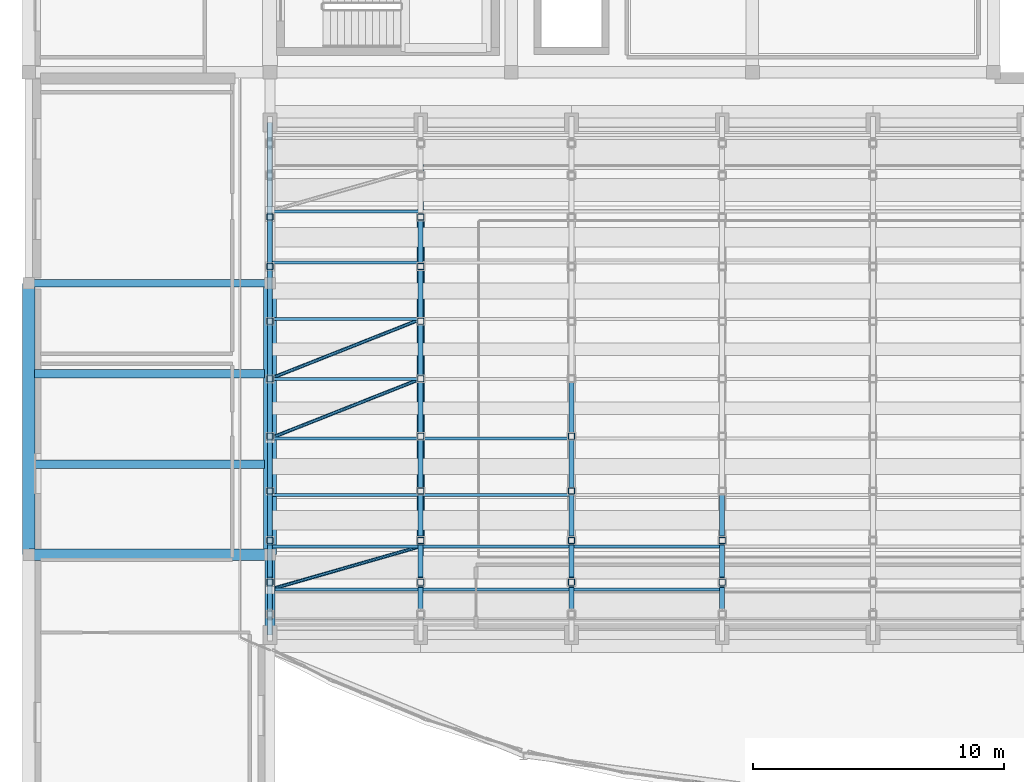
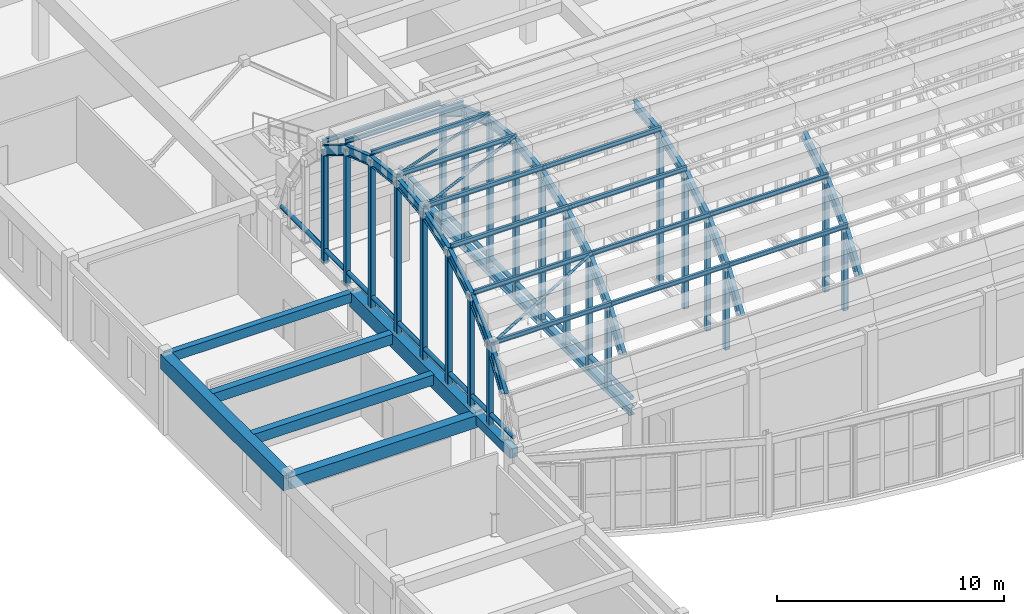
# One storey, part 8 of 91: 41 members, 32 beams.
"""IFC4 building model written with IfcOpenShell, lengths in metres."""

from ifc_helpers import new_model, si_unit, direction, frame, origin, origin_2d, place, context, subcontext, project, spatial, rectangle, hollow_rectangle, hollow_circle, i_section, extrude, material, material_profile, profile_set, type_object, element, save


model = new_model("IFC4")

# Units and contexts
model_context = context("Model", 3, precision=1e-05, world=origin(), true_north=direction((0.0, 1.0)))
body_context = subcontext(model_context, "Body", "Model", "MODEL_VIEW")
ifc_project = project(units=[si_unit("LENGTHUNIT", "METRE"), si_unit("AREAUNIT", "SQUARE_METRE"), si_unit("VOLUMEUNIT", "CUBIC_METRE"), si_unit("PLANEANGLEUNIT", "RADIAN"), si_unit("MASSUNIT", "GRAM", prefix="KILO")], contexts=[model_context])

# Site, building, storey
site_placement = place(None, origin())
site = spatial("IfcSite", under=ifc_project, at=site_placement, CompositionType="ELEMENT")
building_placement = place(site_placement, origin())
building = spatial("IfcBuilding", under=site, at=building_placement, Name="Tarnavel Promenade Courthouse", CompositionType="ELEMENT")
storey_placement = place(building_placement, frame((0.0, 0.0, 9.89990234375)))
storey = spatial("IfcBuildingStorey", under=building, at=storey_placement, Name="L03", CompositionType="ELEMENT", Elevation=9.89990234375)

# Beams
ifc_material_1 = material(Name="Concrete C40/50", Category="concrete")
ifc_material_profile_1 = material_profile(ifc_material_1, rectangle(XDim=0.35009765625, YDim=0.550048828125, at=origin_2d()), Name="PT 350x550")
ifc_profile_set_1 = profile_set([ifc_material_profile_1], Name="Concrete C40/50")
beam_type_1 = type_object("IfcBeamType", Name="Concrete C40/50 BM-PT-350x550 (PT 350x550)", PredefinedType="JOIST", material=ifc_profile_set_1)
for number, where, z_axis, x_axis, name in (
    (1, (0.219970703125, 21.60009765625, 3.97021484375), (1.0, 0.0, 0.0), (0.0, 1.0, 0.0), "L03 Secondary Floor Rib 1822"),
    (2, (0.219970703125, 25.199951171875, 3.97021484375), (1.0, 0.0, 0.0), (0.0, 1.0, 0.0), "L03 Secondary Floor Rib 1823"),
):
    element("IfcBeam", number, at=place(storey_placement, frame(where, z_axis=z_axis, x_axis=x_axis)), inside=storey, type_object=beam_type_1, Name=name, PredefinedType="JOIST", context=body_context, shape_type="SweptSolid", body=[
        extrude(rectangle(XDim=0.35009765625, YDim=0.550048828125, at=origin_2d()), origin(), (0.0, 0.0, 1.0), 9.159912109375),
    ])
ifc_material_profile_2 = material_profile(ifc_material_1, rectangle(XDim=0.5, YDim=0.800048828125, at=origin_2d()), Name="PT 500x800")
ifc_profile_set_2 = profile_set([ifc_material_profile_2], Name="Concrete C40/50")
beam_type_2 = type_object("IfcBeamType", Name="Concrete C40/50 BM-PT-500x800 (PT 500x800)", PredefinedType="T_BEAM", material=ifc_profile_set_2)
for number, where, z_axis, x_axis, name in (
    (3, (0.0, 18.0, 3.84521484375), (0.0, 1.0, 0.0), (-1.0, 0.0, 0.0), "L03 Transverse Girder 1688"),
    (4, (9.60009765625, 18.0, 3.84521484375), (0.0, 1.0, 0.0), (-1.0, 0.0, 0.0), "L03 Transverse Girder 1700"),
):
    element("IfcBeam", number, at=place(storey_placement, frame(where, z_axis=z_axis, x_axis=x_axis)), inside=storey, type_object=beam_type_2, Name=name, PredefinedType="T_BEAM", context=body_context, shape_type="SweptSolid", body=[
        extrude(rectangle(XDim=0.5, YDim=0.800048828125, at=origin_2d()), origin(), (0.0, 0.0, 1.0), 10.800048828125),
    ])
ifc_material_profile_3 = material_profile(ifc_material_1, rectangle(XDim=0.39990234375, YDim=0.5, at=origin_2d()), Name="RC 400x500")
ifc_profile_set_3 = profile_set([ifc_material_profile_3], Name="Concrete C40/50")
beam_type_3 = type_object("IfcBeamType", Name="Concrete C40/50 BM-RC-400x500 (RC 400x500)", PredefinedType="BEAM", material=ifc_profile_set_3)
beam_1_placement = place(storey_placement, frame((9.60009765625, 14.800048828125, 3.9951171875), z_axis=(0.0, 1.0, 0.0), x_axis=(-1.0, 0.0, 0.0)))
element("IfcBeam", 5, at=beam_1_placement, inside=storey, type_object=beam_type_3, Name="L03 Transverse Girder 1699", PredefinedType="BEAM", context=body_context, shape_type="SweptSolid", body=[
    extrude(rectangle(XDim=0.39990234375, YDim=0.5, at=origin_2d()), origin(), (0.0, 0.0, 1.0), 3.199951171875),
])
ifc_material_profile_4 = material_profile(ifc_material_1, rectangle(XDim=0.449951171875, YDim=0.64990234375, at=origin_2d()), Name="RC 450x650")
ifc_profile_set_4 = profile_set([ifc_material_profile_4], Name="Concrete C40/50")
beam_type_4 = type_object("IfcBeamType", Name="Concrete C40/50 BM-RC-450x650 (RC 450x650)", PredefinedType="T_BEAM", material=ifc_profile_set_4)
beam_2_placement = place(storey_placement, frame((0.0, 18.0, 3.920166015625), z_axis=(1.0, 0.0, 0.0), x_axis=(0.0, 1.0, 0.0)))
element("IfcBeam", 6, at=beam_2_placement, inside=storey, type_object=beam_type_4, Name="L03 Primary Longitudinal Beam 1540", PredefinedType="T_BEAM", context=body_context, shape_type="SweptSolid", body=[
    extrude(rectangle(XDim=0.449951171875, YDim=0.64990234375, at=origin_2d()), origin(), (0.0, 0.0, 1.0), 9.60009765625),
])
ifc_material_profile_5 = material_profile(ifc_material_1, rectangle(XDim=0.300048828125, YDim=0.5, at=origin_2d()), Name="RC 300x500")
ifc_profile_set_5 = profile_set([ifc_material_profile_5], Name="Concrete C40/50")
beam_type_5 = type_object("IfcBeamType", Name="Concrete C40/50 BM-SP-300x500 (RC 300x500)", PredefinedType="SPANDREL", material=ifc_profile_set_5)
beam_3_placement = place(storey_placement, frame((0.0, 28.800048828125, 3.9951171875), z_axis=(1.0, 0.0, 0.0), x_axis=(0.0, 1.0, 0.0)))
element("IfcBeam", 7, at=beam_3_placement, inside=storey, type_object=beam_type_5, Name="L03 Primary Longitudinal Beam 1541", PredefinedType="SPANDREL", context=body_context, shape_type="SweptSolid", body=[
    extrude(rectangle(XDim=0.300048828125, YDim=0.5, at=origin_2d()), origin(), (0.0, 0.0, 1.0), 9.60009765625),
])
ifc_material_2 = material(Name="Steel S355J2", Category="steel")
ifc_material_profile_6 = material_profile(ifc_material_2, i_section(OverallWidth=0.199951171875, OverallDepth=0.5, WebThickness=0.01025390625, FlangeThickness=0.01611328125, FilletRadius=0.02099609375, at=origin_2d()), Name="IPE 500")
ifc_profile_set_6 = profile_set([ifc_material_profile_6], Name="Steel S355J2")
beam_type_6 = type_object("IfcBeamType", Name="Steel S355J2 BM-AR-IPE500 (IPE 500)", PredefinedType="T_BEAM", material=ifc_profile_set_6)
beam_4_placement = place(storey_placement, frame((9.60009765625, 15.62890625, 6.648193359375), z_axis=(0.0, 0.553794535045, 0.832653357019), x_axis=(-1.0, 0.0, 0.0)))
element("IfcBeam", 8, at=beam_4_placement, inside=storey, type_object=beam_type_6, Name="V4 Barrel Vault Arch Rib 01 Chord 02", PredefinedType="T_BEAM", context=body_context, shape_type="SweptSolid", body=[
    extrude(i_section(OverallWidth=0.199951171875, OverallDepth=0.5, WebThickness=0.01025390625, FlangeThickness=0.01611328125, FilletRadius=0.02099609375, at=origin_2d()), origin(), (0.0, 0.0, 1.0), 2.302490234375),
])
beam_5_placement = place(storey_placement, frame((9.60009765625, 16.904052734375, 8.5654296875), z_axis=(0.0, 0.721173265551, 0.692754733693), x_axis=(-1.0, 0.0, 0.0)))
element("IfcBeam", 9, at=beam_5_placement, inside=storey, type_object=beam_type_6, Name="V4 Barrel Vault Arch Rib 01 Chord 03", PredefinedType="T_BEAM", context=body_context, shape_type="SweptSolid", body=[
    extrude(i_section(OverallWidth=0.199951171875, OverallDepth=0.5, WebThickness=0.01025390625, FlangeThickness=0.01611328125, FilletRadius=0.02099609375, at=origin_2d()), origin(), (0.0, 0.0, 1.0), 2.30224609375),
])
for number, where, z_axis, x_axis, name in (
    (10, (9.60009765625, 18.564453125, 10.160400390625), (0.0, 0.854305009105, 0.519772018696), (-1.0, 0.0, 0.0), "V4 Barrel Vault Arch Rib 01 Chord 04"),
    (11, (9.60009765625, 20.531494140625, 11.357177734375), (0.0, 0.946692570393, 0.322138444092), (-1.0, 0.0, 0.0), "V4 Barrel Vault Arch Rib 01 Chord 05"),
    (12, (9.60009765625, 22.711181640625, 12.098876953125), (0.0, 0.994030256649, 0.10910476097), (-1.0, 0.0, 0.0), "V4 Barrel Vault Arch Rib 01 Chord 06"),
    (13, (9.60009765625, 25.0, 12.35009765625), (0.0, 0.994030256649, -0.10910476097), (-1.0, 0.0, 0.0), "V4 Barrel Vault Arch Rib 01 Chord 07"),
    (14, (9.60009765625, 27.288818359375, 12.098876953125), (0.0, 0.946692570393, -0.322138444092), (-1.0, 0.0, 0.0), "V4 Barrel Vault Arch Rib 01 Chord 08"),
    (15, (9.60009765625, 29.468505859375, 11.357177734375), (0.0, 0.854305009105, -0.519772018696), (-1.0, 0.0, 0.0), "V4 Barrel Vault Arch Rib 01 Chord 09"),
    (16, (15.60009765625, 15.62890625, 6.648193359375), (0.0, 0.553794535045, 0.832653357019), (-1.0, 0.0, 0.0), "V4 Barrel Vault Arch Rib 02 Chord 02"),
):
    element("IfcBeam", number, at=place(storey_placement, frame(where, z_axis=z_axis, x_axis=x_axis)), inside=storey, type_object=beam_type_6, Name=name, PredefinedType="T_BEAM", context=body_context, shape_type="SweptSolid", body=[
        extrude(i_section(OverallWidth=0.199951171875, OverallDepth=0.5, WebThickness=0.01025390625, FlangeThickness=0.01611328125, FilletRadius=0.02099609375, at=origin_2d()), origin(), (0.0, 0.0, 1.0), 2.302490234375),
    ])
beam_6_placement = place(storey_placement, frame((15.60009765625, 16.904052734375, 8.5654296875), z_axis=(0.0, 0.721173265551, 0.692754733693), x_axis=(-1.0, 0.0, 0.0)))
element("IfcBeam", 17, at=beam_6_placement, inside=storey, type_object=beam_type_6, Name="V4 Barrel Vault Arch Rib 02 Chord 03", PredefinedType="T_BEAM", context=body_context, shape_type="SweptSolid", body=[
    extrude(i_section(OverallWidth=0.199951171875, OverallDepth=0.5, WebThickness=0.01025390625, FlangeThickness=0.01611328125, FilletRadius=0.02099609375, at=origin_2d()), origin(), (0.0, 0.0, 1.0), 2.30224609375),
])
for number, where, z_axis, x_axis, name in (
    (18, (15.60009765625, 18.564453125, 10.160400390625), (0.0, 0.854305009105, 0.519772018696), (-1.0, 0.0, 0.0), "V4 Barrel Vault Arch Rib 02 Chord 04"),
    (19, (15.60009765625, 20.531494140625, 11.357177734375), (0.0, 0.946692570393, 0.322138444092), (-1.0, 0.0, 0.0), "V4 Barrel Vault Arch Rib 02 Chord 05"),
    (20, (15.60009765625, 22.711181640625, 12.098876953125), (0.0, 0.994030256649, 0.10910476097), (-1.0, 0.0, 0.0), "V4 Barrel Vault Arch Rib 02 Chord 06"),
    (21, (15.60009765625, 25.0, 12.35009765625), (0.0, 0.994030256649, -0.10910476097), (-1.0, 0.0, 0.0), "V4 Barrel Vault Arch Rib 02 Chord 07"),
    (22, (15.60009765625, 27.288818359375, 12.098876953125), (0.0, 0.946692570393, -0.322138444092), (-1.0, 0.0, 0.0), "V4 Barrel Vault Arch Rib 02 Chord 08"),
    (23, (15.60009765625, 29.468505859375, 11.357177734375), (0.0, 0.854305009105, -0.519772018696), (-1.0, 0.0, 0.0), "V4 Barrel Vault Arch Rib 02 Chord 09"),
    (24, (21.60009765625, 15.62890625, 6.648193359375), (0.0, 0.553794535045, 0.832653357019), (-1.0, 0.0, 0.0), "V4 Barrel Vault Arch Rib 03 Chord 02"),
):
    element("IfcBeam", number, at=place(storey_placement, frame(where, z_axis=z_axis, x_axis=x_axis)), inside=storey, type_object=beam_type_6, Name=name, PredefinedType="T_BEAM", context=body_context, shape_type="SweptSolid", body=[
        extrude(i_section(OverallWidth=0.199951171875, OverallDepth=0.5, WebThickness=0.01025390625, FlangeThickness=0.01611328125, FilletRadius=0.02099609375, at=origin_2d()), origin(), (0.0, 0.0, 1.0), 2.302490234375),
    ])
beam_7_placement = place(storey_placement, frame((21.60009765625, 16.904052734375, 8.5654296875), z_axis=(0.0, 0.721173265551, 0.692754733693), x_axis=(-1.0, 0.0, 0.0)))
element("IfcBeam", 25, at=beam_7_placement, inside=storey, type_object=beam_type_6, Name="V4 Barrel Vault Arch Rib 03 Chord 03", PredefinedType="T_BEAM", context=body_context, shape_type="SweptSolid", body=[
    extrude(i_section(OverallWidth=0.199951171875, OverallDepth=0.5, WebThickness=0.01025390625, FlangeThickness=0.01611328125, FilletRadius=0.02099609375, at=origin_2d()), origin(), (0.0, 0.0, 1.0), 2.30224609375),
])
for number, where, z_axis, x_axis, name in (
    (26, (21.60009765625, 18.564453125, 10.160400390625), (0.0, 0.854305009105, 0.519772018696), (-1.0, 0.0, 0.0), "V4 Barrel Vault Arch Rib 03 Chord 04"),
    (27, (21.60009765625, 20.531494140625, 11.357177734375), (0.0, 0.946692570393, 0.322138444092), (-1.0, 0.0, 0.0), "V4 Barrel Vault Arch Rib 03 Chord 05"),
    (28, (21.60009765625, 22.711181640625, 12.098876953125), (0.0, 0.994030256649, 0.10910476097), (-1.0, 0.0, 0.0), "V4 Barrel Vault Arch Rib 03 Chord 06"),
    (29, (27.60009765625, 15.62890625, 6.648193359375), (0.0, 0.553794535045, 0.832653357019), (-1.0, 0.0, 0.0), "V4 Barrel Vault Arch Rib 04 Chord 02"),
):
    element("IfcBeam", number, at=place(storey_placement, frame(where, z_axis=z_axis, x_axis=x_axis)), inside=storey, type_object=beam_type_6, Name=name, PredefinedType="T_BEAM", context=body_context, shape_type="SweptSolid", body=[
        extrude(i_section(OverallWidth=0.199951171875, OverallDepth=0.5, WebThickness=0.01025390625, FlangeThickness=0.01611328125, FilletRadius=0.02099609375, at=origin_2d()), origin(), (0.0, 0.0, 1.0), 2.302490234375),
    ])
beam_8_placement = place(storey_placement, frame((27.60009765625, 16.904052734375, 8.5654296875), z_axis=(0.0, 0.721173265551, 0.692754733693), x_axis=(-1.0, 0.0, 0.0)))
element("IfcBeam", 30, at=beam_8_placement, inside=storey, type_object=beam_type_6, Name="V4 Barrel Vault Arch Rib 04 Chord 03", PredefinedType="T_BEAM", context=body_context, shape_type="SweptSolid", body=[
    extrude(i_section(OverallWidth=0.199951171875, OverallDepth=0.5, WebThickness=0.01025390625, FlangeThickness=0.01611328125, FilletRadius=0.02099609375, at=origin_2d()), origin(), (0.0, 0.0, 1.0), 2.30224609375),
])
beam_9_placement = place(storey_placement, frame((27.60009765625, 18.564453125, 10.160400390625), z_axis=(0.0, 0.854305009105, 0.519772018696), x_axis=(-1.0, 0.0, 0.0)))
element("IfcBeam", 31, at=beam_9_placement, inside=storey, type_object=beam_type_6, Name="V4 Barrel Vault Arch Rib 04 Chord 04", PredefinedType="T_BEAM", context=body_context, shape_type="SweptSolid", body=[
    extrude(i_section(OverallWidth=0.199951171875, OverallDepth=0.5, WebThickness=0.01025390625, FlangeThickness=0.01611328125, FilletRadius=0.02099609375, at=origin_2d()), origin(), (0.0, 0.0, 1.0), 2.302490234375),
])
ifc_material_profile_7 = material_profile(ifc_material_2, i_section(OverallWidth=0.300048828125, OverallDepth=0.39990234375, WebThickness=0.013427734375, FlangeThickness=0.02392578125, FilletRadius=0.027099609375, at=origin_2d()), Name="HEB 400")
ifc_profile_set_7 = profile_set([ifc_material_profile_7], Name="Steel S355J2")
beam_type_7 = type_object("IfcBeamType", Name="Steel S355J2 BM-ST-HEB400 (HEB 400)", PredefinedType="T_BEAM", material=ifc_profile_set_7)
beam_10_placement = place(storey_placement, frame((15.60009765625, 14.800048828125, 4.1201171875), z_axis=(0.0, 1.0, 0.0), x_axis=(-1.0, 0.0, 0.0)))
element("IfcBeam", 32, at=beam_10_placement, inside=storey, type_object=beam_type_7, Name="V4 Barrel Vault Tie Girder 02", PredefinedType="T_BEAM", context=body_context, shape_type="SweptSolid", body=[
    extrude(i_section(OverallWidth=0.300048828125, OverallDepth=0.39990234375, WebThickness=0.013427734375, FlangeThickness=0.02392578125, FilletRadius=0.027099609375, at=origin_2d()), origin(), (0.0, 0.0, 1.0), 20.39990234375),
])

# Members
ifc_material_profile_8 = material_profile(ifc_material_2, hollow_circle(Radius=0.06982421875, WallThickness=0.008056640625, at=origin_2d()), Name="CHS 139.7x8")
ifc_profile_set_8 = profile_set([ifc_material_profile_8], Name="Steel S355J2")
member_type_1 = type_object("IfcMemberType", Name="Steel S355J2 MEM-BR-CHS140 (CHS 139.7x8)", PredefinedType="BRACE", material=ifc_profile_set_8)
for number, where, z_axis, x_axis, name in (
    (33, (9.60009765625, 16.6123046875, 8.80908203125), (0.929253407327, 0.266457062233, 0.255907676627), (-0.27563538244, 0.961262261793, 0.0), "V4 Barrel Vault Roof Brace 01-02"),
    (34, (9.60009765625, 22.62890625, 12.4697265625), (0.929257879946, 0.367226258546, 0.040307165528), (-0.367524932831, 0.930013668581, 0.0), "V4 Barrel Vault Roof Brace 01-05"),
    (35, (9.60009765625, 25.0, 12.72998046875), (0.929257879946, 0.367226258546, -0.040307165528), (-0.367524932831, 0.930013668581, 0.0), "V4 Barrel Vault Roof Brace 01-06"),
):
    element("IfcMember", number, at=place(storey_placement, frame(where, z_axis=z_axis, x_axis=x_axis)), inside=storey, type_object=member_type_1, Name=name, PredefinedType="BRACE", context=body_context, shape_type="SweptSolid", body=[
        extrude(hollow_circle(Radius=0.06982421875, WallThickness=0.008056640625, at=origin_2d()), origin(), (0.0, 0.0, 1.0), 6.456787109375),
    ])
ifc_material_profile_9 = material_profile(ifc_material_2, i_section(OverallWidth=0.1201171875, OverallDepth=0.239990234375, WebThickness=0.006103515625, FlangeThickness=0.009765625, FilletRadius=0.014892578125, at=origin_2d()), Name="IPE 240")
ifc_profile_set_9 = profile_set([ifc_material_profile_9], Name="Steel S355J2")
member_type_2 = type_object("IfcMemberType", Name="Steel S355J2 MEM-PUR-IPE240 (IPE 240)", PredefinedType="PURLIN", material=ifc_profile_set_9)
for number, where, z_axis, x_axis, name in (
    (36, (9.60009765625, 16.6123046875, 8.80908203125), (1.0, 0.0, 0.0), (0.0, 1.0, 0.0), "V4 Barrel Vault Purlin 01-02"),
    (37, (9.60009765625, 18.332763671875, 10.46142578125), (1.0, 0.0, 0.0), (0.0, 1.0, 0.0), "V4 Barrel Vault Purlin 01-03"),
    (38, (9.60009765625, 20.37060546875, 11.701416015625), (1.0, 0.0, 0.0), (0.0, 1.0, 0.0), "V4 Barrel Vault Purlin 01-04"),
    (39, (9.60009765625, 22.62890625, 12.4697265625), (1.0, 0.0, 0.0), (0.0, 1.0, 0.0), "V4 Barrel Vault Purlin 01-05"),
    (40, (9.60009765625, 25.0, 12.72998046875), (1.0, 0.0, 0.0), (0.0, 1.0, 0.0), "V4 Barrel Vault Purlin 01-06"),
    (41, (9.60009765625, 27.37109375, 12.4697265625), (1.0, 0.0, 0.0), (0.0, 1.0, 0.0), "V4 Barrel Vault Purlin 01-07"),
    (42, (9.60009765625, 29.62939453125, 11.701416015625), (1.0, 0.0, 0.0), (0.0, 1.0, 0.0), "V4 Barrel Vault Purlin 01-08"),
    (43, (9.60009765625, 31.667236328125, 10.46142578125), (1.0, 0.0, 0.0), (0.0, 1.0, 0.0), "V4 Barrel Vault Purlin 01-09"),
    (44, (15.60009765625, 16.6123046875, 8.80908203125), (1.0, 0.0, 0.0), (0.0, 1.0, 0.0), "V4 Barrel Vault Purlin 02-02"),
    (45, (15.60009765625, 18.332763671875, 10.46142578125), (1.0, 0.0, 0.0), (0.0, 1.0, 0.0), "V4 Barrel Vault Purlin 02-03"),
    (46, (15.60009765625, 20.37060546875, 11.701416015625), (1.0, 0.0, 0.0), (0.0, 1.0, 0.0), "V4 Barrel Vault Purlin 02-04"),
    (47, (15.60009765625, 22.62890625, 12.4697265625), (1.0, 0.0, 0.0), (0.0, 1.0, 0.0), "V4 Barrel Vault Purlin 02-05"),
    (48, (21.60009765625, 16.6123046875, 8.80908203125), (1.0, 0.0, 0.0), (0.0, 1.0, 0.0), "V4 Barrel Vault Purlin 03-02"),
    (49, (21.60009765625, 18.332763671875, 10.46142578125), (1.0, 0.0, 0.0), (0.0, 1.0, 0.0), "V4 Barrel Vault Purlin 03-03"),
):
    element("IfcMember", number, at=place(storey_placement, frame(where, z_axis=z_axis, x_axis=x_axis)), inside=storey, type_object=member_type_2, Name=name, PredefinedType="PURLIN", context=body_context, shape_type="SweptSolid", body=[
        extrude(i_section(OverallWidth=0.1201171875, OverallDepth=0.239990234375, WebThickness=0.006103515625, FlangeThickness=0.009765625, FilletRadius=0.014892578125, at=origin_2d()), origin(), (0.0, 0.0, 1.0), 6.0),
    ])
ifc_material_profile_10 = material_profile(ifc_material_2, hollow_rectangle(XDim=0.25, YDim=0.25, WallThickness=0.012451171875, InnerFilletRadius=0.012451171875, OuterFilletRadius=0.02490234375, at=origin_2d()), Name="SHS 250x250x12.5")
ifc_profile_set_10 = profile_set([ifc_material_profile_10], Name="Steel S355J2")
member_type_3 = type_object("IfcMemberType", Name="Steel S355J2 MEM-STR-SHS250 (SHS 250x250x12.5)", PredefinedType="STRUT", material=ifc_profile_set_10)
member_1_placement = place(storey_placement, frame((9.60009765625, 16.904052734375, 4.1201171875), z_axis=(0.0, 0.0, 1.0), x_axis=(1.0, 0.0, 0.0)))
element("IfcMember", 50, at=member_1_placement, inside=storey, type_object=member_type_3, Name="V4 Vault Arch Web Strut 01-02", PredefinedType="STRUT", context=body_context, shape_type="SweptSolid", body=[
    extrude(hollow_rectangle(XDim=0.25, YDim=0.25, WallThickness=0.012451171875, InnerFilletRadius=0.012451171875, OuterFilletRadius=0.02490234375, at=origin_2d()), origin(), (0.0, 0.0, 1.0), 4.4453125),
])
member_2_placement = place(storey_placement, frame((9.60009765625, 18.564453125, 4.1201171875), z_axis=(0.0, 0.0, 1.0), x_axis=(1.0, 0.0, 0.0)))
element("IfcMember", 51, at=member_2_placement, inside=storey, type_object=member_type_3, Name="V4 Vault Arch Web Strut 01-03", PredefinedType="STRUT", context=body_context, shape_type="SweptSolid", body=[
    extrude(hollow_rectangle(XDim=0.25, YDim=0.25, WallThickness=0.012451171875, InnerFilletRadius=0.012451171875, OuterFilletRadius=0.02490234375, at=origin_2d()), origin(), (0.0, 0.0, 1.0), 6.040283203125),
])
member_3_placement = place(storey_placement, frame((9.60009765625, 20.531494140625, 4.1201171875), z_axis=(0.0, 0.0, 1.0), x_axis=(1.0, 0.0, 0.0)))
element("IfcMember", 52, at=member_3_placement, inside=storey, type_object=member_type_3, Name="V4 Vault Arch Web Strut 01-04", PredefinedType="STRUT", context=body_context, shape_type="SweptSolid", body=[
    extrude(hollow_rectangle(XDim=0.25, YDim=0.25, WallThickness=0.012451171875, InnerFilletRadius=0.012451171875, OuterFilletRadius=0.02490234375, at=origin_2d()), origin(), (0.0, 0.0, 1.0), 7.237060546875),
])
member_4_placement = place(storey_placement, frame((9.60009765625, 22.711181640625, 4.1201171875), z_axis=(0.0, 0.0, 1.0), x_axis=(1.0, 0.0, 0.0)))
element("IfcMember", 53, at=member_4_placement, inside=storey, type_object=member_type_3, Name="V4 Vault Arch Web Strut 01-05", PredefinedType="STRUT", context=body_context, shape_type="SweptSolid", body=[
    extrude(hollow_rectangle(XDim=0.25, YDim=0.25, WallThickness=0.012451171875, InnerFilletRadius=0.012451171875, OuterFilletRadius=0.02490234375, at=origin_2d()), origin(), (0.0, 0.0, 1.0), 7.978759765625),
])
member_5_placement = place(storey_placement, frame((9.60009765625, 25.0, 4.1201171875), z_axis=(0.0, 0.0, 1.0), x_axis=(1.0, 0.0, 0.0)))
element("IfcMember", 54, at=member_5_placement, inside=storey, type_object=member_type_3, Name="V4 Vault Arch Web Strut 01-06", PredefinedType="STRUT", context=body_context, shape_type="SweptSolid", body=[
    extrude(hollow_rectangle(XDim=0.25, YDim=0.25, WallThickness=0.012451171875, InnerFilletRadius=0.012451171875, OuterFilletRadius=0.02490234375, at=origin_2d()), origin(), (0.0, 0.0, 1.0), 8.22998046875),
])
member_6_placement = place(storey_placement, frame((9.60009765625, 27.288818359375, 4.1201171875), z_axis=(0.0, 0.0, 1.0), x_axis=(1.0, 0.0, 0.0)))
element("IfcMember", 55, at=member_6_placement, inside=storey, type_object=member_type_3, Name="V4 Vault Arch Web Strut 01-07", PredefinedType="STRUT", context=body_context, shape_type="SweptSolid", body=[
    extrude(hollow_rectangle(XDim=0.25, YDim=0.25, WallThickness=0.012451171875, InnerFilletRadius=0.012451171875, OuterFilletRadius=0.02490234375, at=origin_2d()), origin(), (0.0, 0.0, 1.0), 7.978759765625),
])
member_7_placement = place(storey_placement, frame((9.60009765625, 29.468505859375, 4.1201171875), z_axis=(0.0, 0.0, 1.0), x_axis=(1.0, 0.0, 0.0)))
element("IfcMember", 56, at=member_7_placement, inside=storey, type_object=member_type_3, Name="V4 Vault Arch Web Strut 01-08", PredefinedType="STRUT", context=body_context, shape_type="SweptSolid", body=[
    extrude(hollow_rectangle(XDim=0.25, YDim=0.25, WallThickness=0.012451171875, InnerFilletRadius=0.012451171875, OuterFilletRadius=0.02490234375, at=origin_2d()), origin(), (0.0, 0.0, 1.0), 7.237060546875),
])
member_8_placement = place(storey_placement, frame((9.60009765625, 31.435546875, 4.1201171875), z_axis=(0.0, 0.0, 1.0), x_axis=(1.0, 0.0, 0.0)))
element("IfcMember", 57, at=member_8_placement, inside=storey, type_object=member_type_3, Name="V4 Vault Arch Web Strut 01-09", PredefinedType="STRUT", context=body_context, shape_type="SweptSolid", body=[
    extrude(hollow_rectangle(XDim=0.25, YDim=0.25, WallThickness=0.012451171875, InnerFilletRadius=0.012451171875, OuterFilletRadius=0.02490234375, at=origin_2d()), origin(), (0.0, 0.0, 1.0), 6.040283203125),
])
member_9_placement = place(storey_placement, frame((15.60009765625, 16.904052734375, 4.1201171875), z_axis=(0.0, 0.0, 1.0), x_axis=(1.0, 0.0, 0.0)))
element("IfcMember", 58, at=member_9_placement, inside=storey, type_object=member_type_3, Name="V4 Vault Arch Web Strut 02-02", PredefinedType="STRUT", context=body_context, shape_type="SweptSolid", body=[
    extrude(hollow_rectangle(XDim=0.25, YDim=0.25, WallThickness=0.012451171875, InnerFilletRadius=0.012451171875, OuterFilletRadius=0.02490234375, at=origin_2d()), origin(), (0.0, 0.0, 1.0), 4.4453125),
])
member_10_placement = place(storey_placement, frame((15.60009765625, 18.564453125, 4.1201171875), z_axis=(0.0, 0.0, 1.0), x_axis=(1.0, 0.0, 0.0)))
element("IfcMember", 59, at=member_10_placement, inside=storey, type_object=member_type_3, Name="V4 Vault Arch Web Strut 02-03", PredefinedType="STRUT", context=body_context, shape_type="SweptSolid", body=[
    extrude(hollow_rectangle(XDim=0.25, YDim=0.25, WallThickness=0.012451171875, InnerFilletRadius=0.012451171875, OuterFilletRadius=0.02490234375, at=origin_2d()), origin(), (0.0, 0.0, 1.0), 6.040283203125),
])
member_11_placement = place(storey_placement, frame((15.60009765625, 20.531494140625, 4.1201171875), z_axis=(0.0, 0.0, 1.0), x_axis=(1.0, 0.0, 0.0)))
element("IfcMember", 60, at=member_11_placement, inside=storey, type_object=member_type_3, Name="V4 Vault Arch Web Strut 02-04", PredefinedType="STRUT", context=body_context, shape_type="SweptSolid", body=[
    extrude(hollow_rectangle(XDim=0.25, YDim=0.25, WallThickness=0.012451171875, InnerFilletRadius=0.012451171875, OuterFilletRadius=0.02490234375, at=origin_2d()), origin(), (0.0, 0.0, 1.0), 7.237060546875),
])
member_12_placement = place(storey_placement, frame((15.60009765625, 22.711181640625, 4.1201171875), z_axis=(0.0, 0.0, 1.0), x_axis=(1.0, 0.0, 0.0)))
element("IfcMember", 61, at=member_12_placement, inside=storey, type_object=member_type_3, Name="V4 Vault Arch Web Strut 02-05", PredefinedType="STRUT", context=body_context, shape_type="SweptSolid", body=[
    extrude(hollow_rectangle(XDim=0.25, YDim=0.25, WallThickness=0.012451171875, InnerFilletRadius=0.012451171875, OuterFilletRadius=0.02490234375, at=origin_2d()), origin(), (0.0, 0.0, 1.0), 7.978759765625),
])
member_13_placement = place(storey_placement, frame((15.60009765625, 25.0, 4.1201171875), z_axis=(0.0, 0.0, 1.0), x_axis=(1.0, 0.0, 0.0)))
element("IfcMember", 62, at=member_13_placement, inside=storey, type_object=member_type_3, Name="V4 Vault Arch Web Strut 02-06", PredefinedType="STRUT", context=body_context, shape_type="SweptSolid", body=[
    extrude(hollow_rectangle(XDim=0.25, YDim=0.25, WallThickness=0.012451171875, InnerFilletRadius=0.012451171875, OuterFilletRadius=0.02490234375, at=origin_2d()), origin(), (0.0, 0.0, 1.0), 8.22998046875),
])
member_14_placement = place(storey_placement, frame((15.60009765625, 27.288818359375, 4.1201171875), z_axis=(0.0, 0.0, 1.0), x_axis=(1.0, 0.0, 0.0)))
element("IfcMember", 63, at=member_14_placement, inside=storey, type_object=member_type_3, Name="V4 Vault Arch Web Strut 02-07", PredefinedType="STRUT", context=body_context, shape_type="SweptSolid", body=[
    extrude(hollow_rectangle(XDim=0.25, YDim=0.25, WallThickness=0.012451171875, InnerFilletRadius=0.012451171875, OuterFilletRadius=0.02490234375, at=origin_2d()), origin(), (0.0, 0.0, 1.0), 7.978759765625),
])
member_15_placement = place(storey_placement, frame((15.60009765625, 29.468505859375, 4.1201171875), z_axis=(0.0, 0.0, 1.0), x_axis=(1.0, 0.0, 0.0)))
element("IfcMember", 64, at=member_15_placement, inside=storey, type_object=member_type_3, Name="V4 Vault Arch Web Strut 02-08", PredefinedType="STRUT", context=body_context, shape_type="SweptSolid", body=[
    extrude(hollow_rectangle(XDim=0.25, YDim=0.25, WallThickness=0.012451171875, InnerFilletRadius=0.012451171875, OuterFilletRadius=0.02490234375, at=origin_2d()), origin(), (0.0, 0.0, 1.0), 7.237060546875),
])
member_16_placement = place(storey_placement, frame((15.60009765625, 31.435546875, 4.1201171875), z_axis=(0.0, 0.0, 1.0), x_axis=(1.0, 0.0, 0.0)))
element("IfcMember", 65, at=member_16_placement, inside=storey, type_object=member_type_3, Name="V4 Vault Arch Web Strut 02-09", PredefinedType="STRUT", context=body_context, shape_type="SweptSolid", body=[
    extrude(hollow_rectangle(XDim=0.25, YDim=0.25, WallThickness=0.012451171875, InnerFilletRadius=0.012451171875, OuterFilletRadius=0.02490234375, at=origin_2d()), origin(), (0.0, 0.0, 1.0), 6.040283203125),
])
member_17_placement = place(storey_placement, frame((21.60009765625, 16.904052734375, 4.1201171875), z_axis=(0.0, 0.0, 1.0), x_axis=(1.0, 0.0, 0.0)))
element("IfcMember", 66, at=member_17_placement, inside=storey, type_object=member_type_3, Name="V4 Vault Arch Web Strut 03-02", PredefinedType="STRUT", context=body_context, shape_type="SweptSolid", body=[
    extrude(hollow_rectangle(XDim=0.25, YDim=0.25, WallThickness=0.012451171875, InnerFilletRadius=0.012451171875, OuterFilletRadius=0.02490234375, at=origin_2d()), origin(), (0.0, 0.0, 1.0), 4.4453125),
])
member_18_placement = place(storey_placement, frame((21.60009765625, 18.564453125, 4.1201171875), z_axis=(0.0, 0.0, 1.0), x_axis=(1.0, 0.0, 0.0)))
element("IfcMember", 67, at=member_18_placement, inside=storey, type_object=member_type_3, Name="V4 Vault Arch Web Strut 03-03", PredefinedType="STRUT", context=body_context, shape_type="SweptSolid", body=[
    extrude(hollow_rectangle(XDim=0.25, YDim=0.25, WallThickness=0.012451171875, InnerFilletRadius=0.012451171875, OuterFilletRadius=0.02490234375, at=origin_2d()), origin(), (0.0, 0.0, 1.0), 6.040283203125),
])
member_19_placement = place(storey_placement, frame((21.60009765625, 20.531494140625, 4.1201171875), z_axis=(0.0, 0.0, 1.0), x_axis=(1.0, 0.0, 0.0)))
element("IfcMember", 68, at=member_19_placement, inside=storey, type_object=member_type_3, Name="V4 Vault Arch Web Strut 03-04", PredefinedType="STRUT", context=body_context, shape_type="SweptSolid", body=[
    extrude(hollow_rectangle(XDim=0.25, YDim=0.25, WallThickness=0.012451171875, InnerFilletRadius=0.012451171875, OuterFilletRadius=0.02490234375, at=origin_2d()), origin(), (0.0, 0.0, 1.0), 7.237060546875),
])
member_20_placement = place(storey_placement, frame((21.60009765625, 22.711181640625, 4.1201171875), z_axis=(0.0, 0.0, 1.0), x_axis=(1.0, 0.0, 0.0)))
element("IfcMember", 69, at=member_20_placement, inside=storey, type_object=member_type_3, Name="V4 Vault Arch Web Strut 03-05", PredefinedType="STRUT", context=body_context, shape_type="SweptSolid", body=[
    extrude(hollow_rectangle(XDim=0.25, YDim=0.25, WallThickness=0.012451171875, InnerFilletRadius=0.012451171875, OuterFilletRadius=0.02490234375, at=origin_2d()), origin(), (0.0, 0.0, 1.0), 7.978759765625),
])
member_21_placement = place(storey_placement, frame((27.60009765625, 16.904052734375, 4.1201171875), z_axis=(0.0, 0.0, 1.0), x_axis=(1.0, 0.0, 0.0)))
element("IfcMember", 70, at=member_21_placement, inside=storey, type_object=member_type_3, Name="V4 Vault Arch Web Strut 04-02", PredefinedType="STRUT", context=body_context, shape_type="SweptSolid", body=[
    extrude(hollow_rectangle(XDim=0.25, YDim=0.25, WallThickness=0.012451171875, InnerFilletRadius=0.012451171875, OuterFilletRadius=0.02490234375, at=origin_2d()), origin(), (0.0, 0.0, 1.0), 4.4453125),
])
member_22_placement = place(storey_placement, frame((27.60009765625, 18.564453125, 4.1201171875), z_axis=(0.0, 0.0, 1.0), x_axis=(1.0, 0.0, 0.0)))
element("IfcMember", 71, at=member_22_placement, inside=storey, type_object=member_type_3, Name="V4 Vault Arch Web Strut 04-03", PredefinedType="STRUT", context=body_context, shape_type="SweptSolid", body=[
    extrude(hollow_rectangle(XDim=0.25, YDim=0.25, WallThickness=0.012451171875, InnerFilletRadius=0.012451171875, OuterFilletRadius=0.02490234375, at=origin_2d()), origin(), (0.0, 0.0, 1.0), 6.040283203125),
])
ifc_material_profile_11 = material_profile(ifc_material_2, hollow_circle(Radius=0.109619140625, WallThickness=0.010009765625, at=origin_2d()), Name="CHS 219.1x10")
ifc_profile_set_11 = profile_set([ifc_material_profile_11], Name="Steel S355J2")
member_type_4 = type_object("IfcMemberType", Name="Steel S355J2 MEM-TIE-CHS219 (CHS 219.1x10)", PredefinedType="CHORD", material=ifc_profile_set_11)
for number, where, z_axis, x_axis, name in (
    (72, (9.60009765625, 14.800048828125, 4.840087890625), (0.0, 1.0, 0.0), (-1.0, 0.0, 0.0), "V4 Barrel Vault Springline Tie Rod 01"),
    (73, (15.60009765625, 14.800048828125, 4.840087890625), (0.0, 1.0, 0.0), (-1.0, 0.0, 0.0), "V4 Barrel Vault Springline Tie Rod 02"),
):
    element("IfcMember", number, at=place(storey_placement, frame(where, z_axis=z_axis, x_axis=x_axis)), inside=storey, type_object=member_type_4, Name=name, PredefinedType="CHORD", context=body_context, shape_type="SweptSolid", body=[
        extrude(hollow_circle(Radius=0.109619140625, WallThickness=0.010009765625, at=origin_2d()), origin(), (0.0, 0.0, 1.0), 20.39990234375),
    ])

save(model, "model.ifc")
